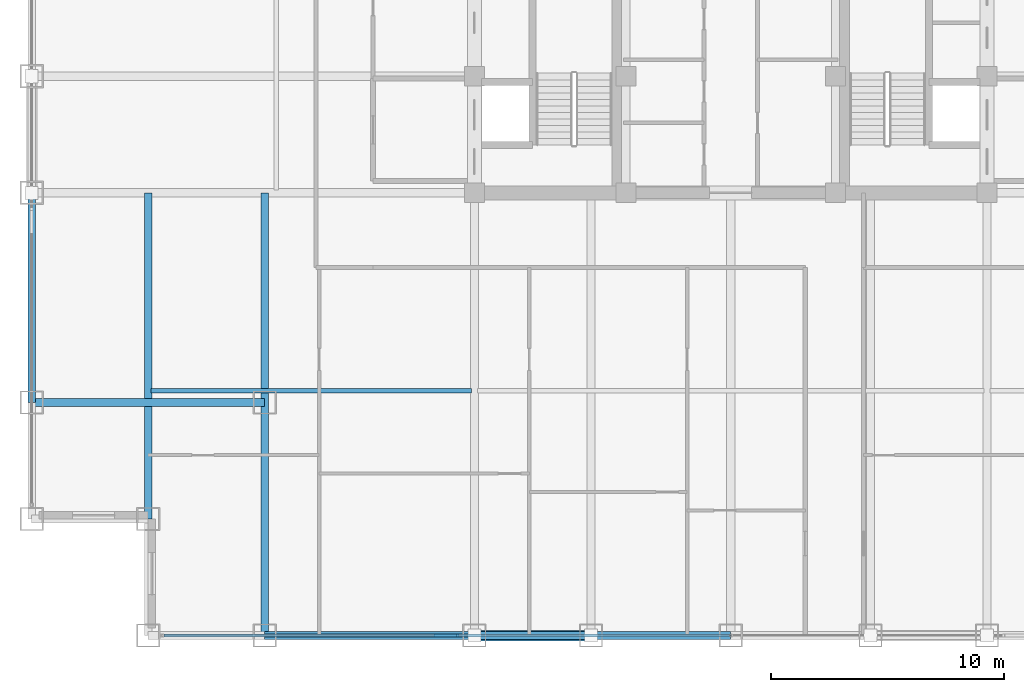
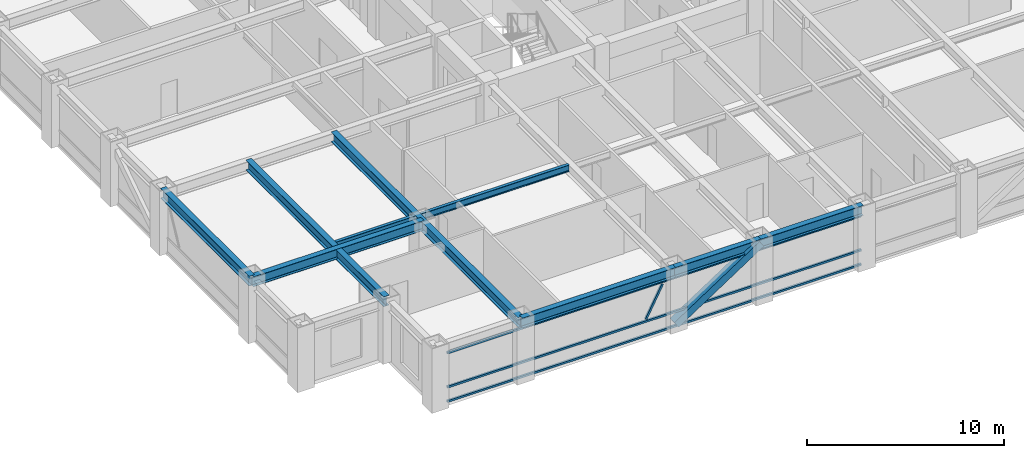
# One storey, part 3 of 24: 8 beams, 5 members, 1 element without a shape of its own.
"""IFC4 building model written with IfcOpenShell, lengths in metres."""

from ifc_helpers import new_model, si_unit, direction, frame, origin, origin_2d, place, context, subcontext, project, spatial, hollow_rectangle, i_section, extrude, source, transform, mapped, material, material_profile, profile_set, type_object, element, aggregate, save


model = new_model("IFC4")

# Units and contexts
model_context = context("Model", 3, precision=1e-05, world=origin(), true_north=direction((0.0, 1.0)))
body_context = subcontext(model_context, "Body", "Model", "MODEL_VIEW")
ifc_project = project(units=[si_unit("LENGTHUNIT", "METRE"), si_unit("AREAUNIT", "SQUARE_METRE"), si_unit("VOLUMEUNIT", "CUBIC_METRE"), si_unit("PLANEANGLEUNIT", "RADIAN"), si_unit("MASSUNIT", "GRAM", prefix="KILO")], contexts=[model_context])

# Site, building, storey
site_placement = place(None, origin())
site = spatial("IfcSite", under=ifc_project, at=site_placement, CompositionType="ELEMENT")
building_placement = place(site_placement, origin())
building = spatial("IfcBuilding", under=site, at=building_placement, Name="Khorayat Bourse Tower", CompositionType="ELEMENT")
storey_placement = place(building_placement, frame((0.0, 0.0, 215.10009765625)))
storey = spatial("IfcBuildingStorey", under=building, at=storey_placement, Name="L50", CompositionType="ELEMENT", Elevation=215.10009765625)

# Beams
ifc_material_1 = material(Name="Steel ASTM A992 Grade 50", Category="steel")
ifc_material_profile_1 = material_profile(ifc_material_1, i_section(OverallWidth=0.324951171875, OverallDepth=0.615966796875, WebThickness=0.013916015625, FlangeThickness=0.021484375, FilletRadius=0.01611328125, at=origin_2d()), Name="W610X174")
ifc_profile_set_1 = profile_set([ifc_material_profile_1], Name="Steel ASTM A992 Grade 50")
beam_type_1 = type_object("IfcBeamType", Name="BM-GIRD-610", PredefinedType="BEAM", material=ifc_profile_set_1)
shared_shape_1 = source(origin(), body_context, "Body", "SweptSolid", [
    extrude(i_section(OverallWidth=0.324951171875, OverallDepth=0.615966796875, WebThickness=0.013916015625, FlangeThickness=0.021484375, FilletRadius=0.01611328125, at=origin_2d()), origin(), (0.0, 0.0, 1.0), 19.0),
])
beam_1_placement = place(storey_placement, frame((-20.0, -30.0, 3.471923828125), z_axis=(0.0, 1.0, 0.0), x_axis=(-1.0, 0.0, 0.0)))
element("IfcBeam", 1, at=beam_1_placement, inside=storey, type_object=beam_type_1, Name="L50 BM-GIRD-610 BM-L50-CNRY-084", PredefinedType="BEAM", context=body_context, shape_type="MappedRepresentation", body=[
    mapped(shared_shape_1, transform((0.0, 0.0, 0.0), scale=1.0)),
])
shared_shape_2 = source(origin(), body_context, "Body", "SweptSolid", [
    extrude(i_section(OverallWidth=0.324951171875, OverallDepth=0.615966796875, WebThickness=0.013916015625, FlangeThickness=0.021484375, FilletRadius=0.01611328125, at=origin_2d()), origin(), (0.0, 0.0, 1.0), 10.0),
])
beam_2_placement = place(storey_placement, frame((-30.0, -20.0, 3.471923828125), z_axis=(1.0, 0.0, 0.0), x_axis=(0.0, 1.0, 0.0)))
element("IfcBeam", 2, at=beam_2_placement, inside=storey, type_object=beam_type_1, Name="L50 BM-GIRD-610 BM-L50-CNRX-093", PredefinedType="BEAM", context=body_context, shape_type="MappedRepresentation", body=[
    mapped(shared_shape_2, transform((0.0, 0.0, 0.0), scale=1.0)),
])
ifc_material_profile_2 = material_profile(ifc_material_1, i_section(OverallWidth=0.324951171875, OverallDepth=0.615966796875, WebThickness=0.013916015625, FlangeThickness=0.021484375, FilletRadius=0.01611328125, at=origin_2d()), Name="W610X174")
ifc_profile_set_2 = profile_set([ifc_material_profile_2], Name="Steel ASTM A992 Grade 50")
beam_type_2 = type_object("IfcBeamType", Name="BM-SPAN-610", PredefinedType="SPANDREL", material=ifc_profile_set_2)
shared_shape_3 = source(origin(), body_context, "Body", "SweptSolid", [
    extrude(i_section(OverallWidth=0.324951171875, OverallDepth=0.615966796875, WebThickness=0.013916015625, FlangeThickness=0.021484375, FilletRadius=0.01611328125, at=origin_2d()), origin(), (0.0, 0.0, 1.0), 9.0),
])
for number, where, z_axis, x_axis, name in (
    (3, (-20.0, -30.0, 3.471923828125), (1.0, 0.0, 0.0), (0.0, 1.0, 0.0), "L50 BM-SPAN-610 BM-L50-SPN-025"),
    (4, (-30.0, -20.0, 3.471923828125), (0.0, 1.0, 0.0), (-1.0, 0.0, 0.0), "L50 BM-SPAN-610 BM-L50-SPN-060"),
):
    element("IfcBeam", number, at=place(storey_placement, frame(where, z_axis=z_axis, x_axis=x_axis)), inside=storey, type_object=beam_type_2, Name=name, PredefinedType="SPANDREL", context=body_context, shape_type="MappedRepresentation", body=[
        mapped(shared_shape_3, transform((0.0, 0.0, 0.0), scale=1.0)),
    ])
shared_shape_4 = source(origin(), body_context, "Body", "SweptSolid", [
    extrude(i_section(OverallWidth=0.324951171875, OverallDepth=0.615966796875, WebThickness=0.013916015625, FlangeThickness=0.021484375, FilletRadius=0.01611328125, at=origin_2d()), origin(), (0.0, 0.0, 1.0), 5.0),
])
beam_3_placement = place(storey_placement, frame((-11.0, -30.0, 3.471923828125), z_axis=(1.0, 0.0, 0.0), x_axis=(0.0, 1.0, 0.0)))
element("IfcBeam", 5, at=beam_3_placement, inside=storey, type_object=beam_type_2, Name="L50 BM-SPAN-610 BM-L50-SPN-026", PredefinedType="SPANDREL", context=body_context, shape_type="MappedRepresentation", body=[
    mapped(shared_shape_4, transform((0.0, 0.0, 0.0), scale=1.0)),
])
shared_shape_5 = source(origin(), body_context, "Body", "SweptSolid", [
    extrude(i_section(OverallWidth=0.324951171875, OverallDepth=0.615966796875, WebThickness=0.013916015625, FlangeThickness=0.021484375, FilletRadius=0.01611328125, at=origin_2d()), origin(), (0.0, 0.0, 1.0), 6.0),
])
beam_4_placement = place(storey_placement, frame((-6.0, -30.0, 3.471923828125), z_axis=(1.0, 0.0, 0.0), x_axis=(0.0, 1.0, 0.0)))
element("IfcBeam", 6, at=beam_4_placement, inside=storey, type_object=beam_type_2, Name="L50 BM-SPAN-610 BM-L50-SPN-027", PredefinedType="SPANDREL", context=body_context, shape_type="MappedRepresentation", body=[
    mapped(shared_shape_5, transform((0.0, 0.0, 0.0), scale=1.0)),
])
shared_shape_6 = source(origin(), body_context, "Body", "SweptSolid", [
    extrude(i_section(OverallWidth=0.324951171875, OverallDepth=0.615966796875, WebThickness=0.013916015625, FlangeThickness=0.021484375, FilletRadius=0.01611328125, at=origin_2d()), origin(), (0.0, 0.0, 1.0), 14.0),
])
beam_5_placement = place(storey_placement, frame((-25.0, -25.0, 3.471923828125), z_axis=(0.0, 1.0, 0.0), x_axis=(-1.0, 0.0, 0.0)))
element("IfcBeam", 7, at=beam_5_placement, inside=storey, type_object=beam_type_1, Name="L50 BM-GIRD-610 BM-L50-CNRY-088", PredefinedType="BEAM", context=body_context, shape_type="MappedRepresentation", body=[
    mapped(shared_shape_6, transform((0.0, 0.0, 0.0), scale=1.0)),
])
ifc_material_profile_3 = material_profile(ifc_material_1, i_section(OverallWidth=0.180908203125, OverallDepth=0.4169921875, WebThickness=0.010986328125, FlangeThickness=0.018310546875, FilletRadius=0.011962890625, at=origin_2d()), Name="W410X85")
ifc_profile_set_3 = profile_set([ifc_material_profile_3], Name="Steel ASTM A992 Grade 50")
beam_type_3 = type_object("IfcBeamType", Name="BM-JOIST-410", PredefinedType="JOIST", material=ifc_profile_set_3)
shared_shape_7 = source(origin(), body_context, "Body", "SweptSolid", [
    extrude(i_section(OverallWidth=0.180908203125, OverallDepth=0.4169921875, WebThickness=0.010986328125, FlangeThickness=0.018310546875, FilletRadius=0.011962890625, at=origin_2d()), origin(), (0.0, 0.0, 1.0), 13.740234375),
])
beam_6_placement = place(storey_placement, frame((-24.8701171875, -19.5, 3.5712890625), z_axis=(1.0, 0.0, 0.0), x_axis=(0.0, 1.0, 0.0)))
element("IfcBeam", 8, at=beam_6_placement, inside=storey, type_object=beam_type_3, Name="L50 BM-JOIST-410 BM-L50-JSTX-096", PredefinedType="JOIST", context=body_context, shape_type="MappedRepresentation", body=[
    mapped(shared_shape_7, transform((0.0, 0.0, 0.0), scale=1.0)),
])

# Member
ifc_material_2 = material(Name="Steel EN 10025-4 S460M", Category="steel")
ifc_material_profile_4 = material_profile(ifc_material_2, hollow_rectangle(XDim=0.449951171875, YDim=0.449951171875, WallThickness=0.02490234375, at=origin_2d()), Name="HSS 450x450x25")
ifc_profile_set_4 = profile_set([ifc_material_profile_4], Name="Steel EN 10025-4 S460M")
member_type_1 = type_object("IfcMemberType", Name="MBR-TUBE-450", PredefinedType="BRACE", material=ifc_profile_set_4)
shared_shape_8 = source(origin(), body_context, "Body", "SweptSolid", [
    extrude(hollow_rectangle(XDim=0.449951171875, YDim=0.449951171875, WallThickness=0.02490234375, at=origin_2d()), origin(), (0.0, 0.0, 1.0), 5.979736328125),
])
member_1_placement = place(storey_placement, frame((-11.0, -30.0, 0.25), z_axis=(0.836160261256, 0.0, 0.548485202623), x_axis=(0.0, 1.0, 0.0)))
element("IfcMember", 9, at=member_1_placement, inside=storey, type_object=member_type_1, Name="L50 Perimeter Tube Brace 01", PredefinedType="BRACE", context=body_context, shape_type="MappedRepresentation", body=[
    mapped(shared_shape_8, transform((0.0, 0.0, 0.0), scale=1.0)),
])

# Curtain wall, members
ifc_material_3 = material(Name="Aluminium EN AW-6063 T6", Category="aluminium")
curtain_wall_type = type_object("IfcCurtainWallType", Name="CW-SYS-03", PredefinedType="NOTDEFINED", material=ifc_material_3)
curtain_wall_placement = place(storey_placement, origin())
curtain_wall = element("IfcCurtainWall", 10, at=curtain_wall_placement, inside=storey, type_object=curtain_wall_type, Name="L50 Curtain Wall CW-L50-S1", PredefinedType="NOTDEFINED")
ifc_material_profile_5 = material_profile(ifc_material_3, hollow_rectangle(XDim=0.1201171875, YDim=0.1201171875, WallThickness=0.0048828125, at=origin_2d()), Name="ALU 120x120x5")
ifc_profile_set_5 = profile_set([ifc_material_profile_5], Name="Aluminium EN AW-6063 T6")
member_type_2 = type_object("IfcMemberType", Name="CWM-DIAG-120", PredefinedType="MULLION", material=ifc_profile_set_5)
shared_shape_9 = source(origin(), body_context, "Body", "SweptSolid", [
    extrude(hollow_rectangle(XDim=0.1201171875, YDim=0.1201171875, WallThickness=0.0048828125, at=origin_2d()), origin(), (0.0, 0.0, 1.0), 2.079345703125),
])
member_2_placement = place(storey_placement, frame((-12.67919921875, -30.0, 1.08984375), z_axis=(0.465760949701, 0.0, 0.884910581773), x_axis=(0.0, 1.0, 0.0)))
member_2 = element("IfcMember", 11, at=member_2_placement, type_object=member_type_2, Name="CW-L50-S1 Faceted Diagonal Mullion 1", PredefinedType="MULLION", context=body_context, shape_type="MappedRepresentation", body=[
    mapped(shared_shape_9, transform((0.0, 0.0, 0.0), scale=1.0)),
])
ifc_material_profile_6 = material_profile(ifc_material_3, hollow_rectangle(XDim=0.1201171875, YDim=0.1201171875, WallThickness=0.0048828125, at=origin_2d()), Name="ALU 120x120x5")
ifc_profile_set_6 = profile_set([ifc_material_profile_6], Name="Aluminium EN AW-6063 T6")
member_type_3 = type_object("IfcMemberType", Name="CWT-HORZ-120", PredefinedType="USERDEFINED", material=ifc_profile_set_6)
shared_shape_10 = source(origin(), body_context, "Body", "SweptSolid", [
    extrude(hollow_rectangle(XDim=0.1201171875, YDim=0.1201171875, WallThickness=0.0048828125, at=origin_2d()), origin(), (0.0, 0.0, 1.0), 24.27001953125),
])
member_3_placement = place(storey_placement, frame((-24.330078125, -30.0, 0.059814453125), z_axis=(1.0, 0.0, 0.0), x_axis=(0.0, 1.0, 0.0)))
member_3 = element("IfcMember", 12, at=member_3_placement, type_object=member_type_3, Name="CW-L50-S1 Horizontal Transom 1-1", ObjectType="TRANSOM", PredefinedType="USERDEFINED", context=body_context, shape_type="MappedRepresentation", body=[
    mapped(shared_shape_10, transform((0.0, 0.0, 0.0), scale=1.0)),
])
member_4_placement = place(storey_placement, frame((-24.330078125, -30.0, 0.949951171875), z_axis=(1.0, 0.0, 0.0), x_axis=(0.0, 1.0, 0.0)))
member_4 = element("IfcMember", 13, at=member_4_placement, type_object=member_type_3, Name="CW-L50-S1 Horizontal Transom 1-2", ObjectType="TRANSOM", PredefinedType="USERDEFINED", context=body_context, shape_type="MappedRepresentation", body=[
    mapped(shared_shape_10, transform((0.0, 0.0, 0.0), scale=1.0)),
])
member_5_placement = place(storey_placement, frame((-24.330078125, -30.0, 3.06982421875), z_axis=(1.0, 0.0, 0.0), x_axis=(0.0, 1.0, 0.0)))
member_5 = element("IfcMember", 14, at=member_5_placement, type_object=member_type_3, Name="CW-L50-S1 Horizontal Transom 1-3", ObjectType="TRANSOM", PredefinedType="USERDEFINED", context=body_context, shape_type="MappedRepresentation", body=[
    mapped(shared_shape_10, transform((0.0, 0.0, 0.0), scale=1.0)),
])
aggregate(curtain_wall, [member_3, member_4, member_5, member_2])

save(model, "model.ifc")
